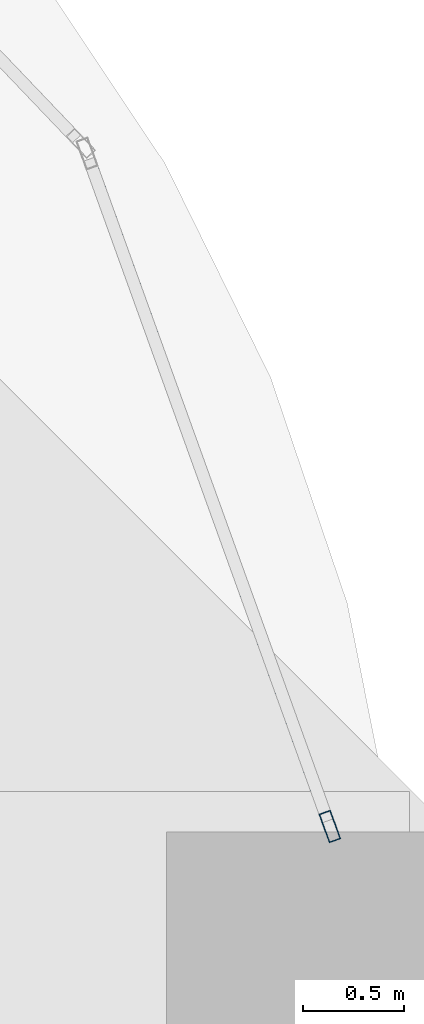
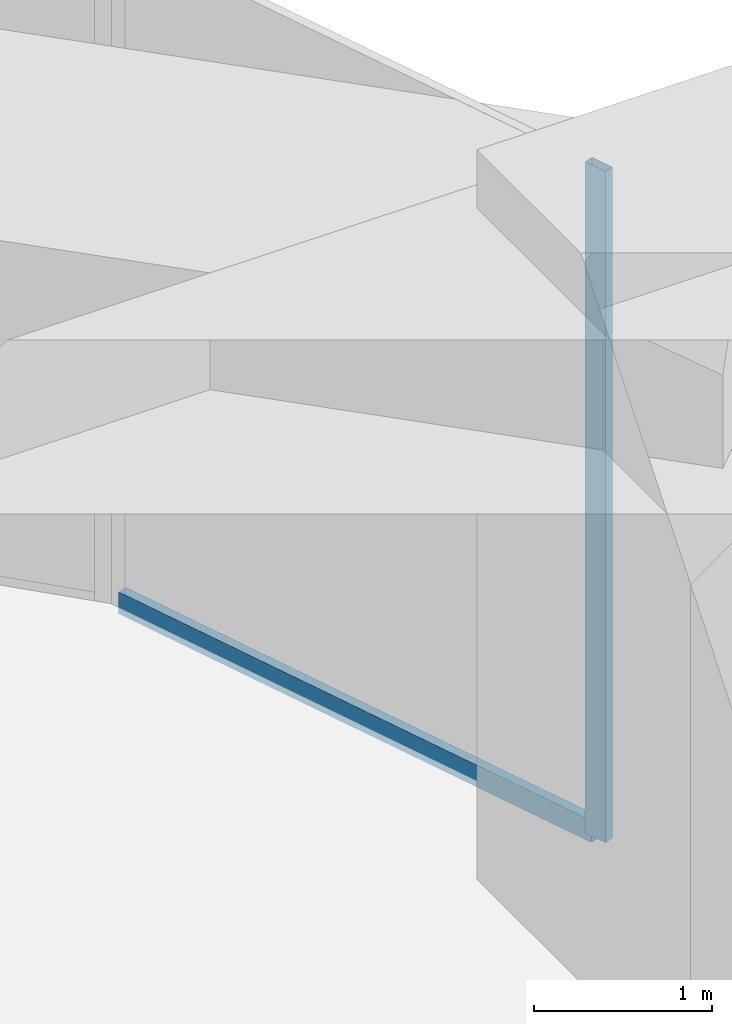
# One storey, part 27 of 35: 2 members, 1 element without a shape of its own.
"""IFC4 building model written with IfcOpenShell, lengths in metres."""

from ifc_helpers import new_model, si_unit, direction, frame, origin, origin_2d, place, context, subcontext, project, spatial, hollow_rectangle, extrude, material, material_profile, profile_set, type_object, element, aggregate, save


model = new_model("IFC4")

# Units and contexts
model_context = context("Model", 3, precision=1e-05, world=origin(), true_north=direction((0.0, 1.0)))
body_context = subcontext(model_context, "Body", "Model", "MODEL_VIEW")
ifc_project = project(units=[si_unit("LENGTHUNIT", "METRE"), si_unit("AREAUNIT", "SQUARE_METRE"), si_unit("VOLUMEUNIT", "CUBIC_METRE"), si_unit("PLANEANGLEUNIT", "RADIAN"), si_unit("MASSUNIT", "GRAM", prefix="KILO")], contexts=[model_context])

# Site, building, storey
site_placement = place(None, origin())
site = spatial("IfcSite", under=ifc_project, at=site_placement, CompositionType="ELEMENT")
building_placement = place(site_placement, origin())
building = spatial("IfcBuilding", under=site, at=building_placement, Name="Zorevar Civic Tower", CompositionType="ELEMENT")
storey_placement = place(building_placement, frame((0.0, 0.0, 80.0)))
storey = spatial("IfcBuildingStorey", under=building, at=storey_placement, Name="L19", CompositionType="ELEMENT", Elevation=80.0)

# Curtain wall, members
ifc_material_1 = material(Name="Black aluminium louvres", Category="aluminium")
curtain_wall_type = type_object("IfcCurtainWallType", Name="Louvred curtain wall CW6 refuge", PredefinedType="NOTDEFINED", material=ifc_material_1)
curtain_wall_placement = place(storey_placement, origin())
curtain_wall = element("IfcCurtainWall", 1, at=curtain_wall_placement, inside=storey, type_object=curtain_wall_type, Name="CW6 L19", PredefinedType="NOTDEFINED")
ifc_material_2 = material(Name="Aluminium, black anodised", Category="aluminium")
ifc_material_profile_1 = material_profile(ifc_material_2, hollow_rectangle(XDim=0.06005859375, YDim=0.14990234375, WallThickness=0.00390625, at=origin_2d()), Name="AL 150x60x4")
ifc_profile_set_1 = profile_set([ifc_material_profile_1], Name="Aluminium, black anodised")
member_type_1 = type_object("IfcMemberType", Name="CW6 mullion AL 150x60x4", PredefinedType="MULLION", material=ifc_profile_set_1)
member_1_placement = place(storey_placement, frame((62.606689453125, 46.228271484375, 0.0), z_axis=(0.0, 0.0, 1.0), x_axis=(-0.940636829761, -0.339414723454, 0.0)))
member_1 = element("IfcMember", 2, at=member_1_placement, type_object=member_type_1, Name="CW6 mullion 1", PredefinedType="MULLION", context=body_context, shape_type="SweptSolid", body=[
    extrude(hollow_rectangle(XDim=0.06005859375, YDim=0.14990234375, WallThickness=0.00390625, at=origin_2d()), origin(), (0.0, 0.0, 1.0), 4.60009765625),
])
ifc_material_3 = material(Name="Aluminium, black anodised", Category="aluminium")
ifc_material_profile_2 = material_profile(ifc_material_3, hollow_rectangle(XDim=0.06005859375, YDim=0.14990234375, WallThickness=0.00390625, at=origin_2d()), Name="AL 150x60x4")
ifc_profile_set_2 = profile_set([ifc_material_profile_2], Name="Aluminium, black anodised")
member_type_2 = type_object("IfcMemberType", Name="CW6 transom AL 150x60x4", PredefinedType="USERDEFINED", material=ifc_profile_set_2)
member_2_placement = place(storey_placement, frame((62.596435546875, 46.25634765625, 0.030029296875), z_axis=(-0.339381781019, 0.940648715894, 0.0), x_axis=(-0.940648715894, -0.339381781019, 0.0)))
member_2 = element("IfcMember", 3, at=member_2_placement, type_object=member_type_2, Name="CW6 sill transom", ObjectType="TRANSOM", PredefinedType="USERDEFINED", context=body_context, shape_type="SweptSolid", body=[
    extrude(hollow_rectangle(XDim=0.06005859375, YDim=0.14990234375, WallThickness=0.00390625, at=origin_2d()), origin(), (0.0, 0.0, 1.0), 3.4716796875),
])
aggregate(curtain_wall, [member_1, member_2])

save(model, "model.ifc")
